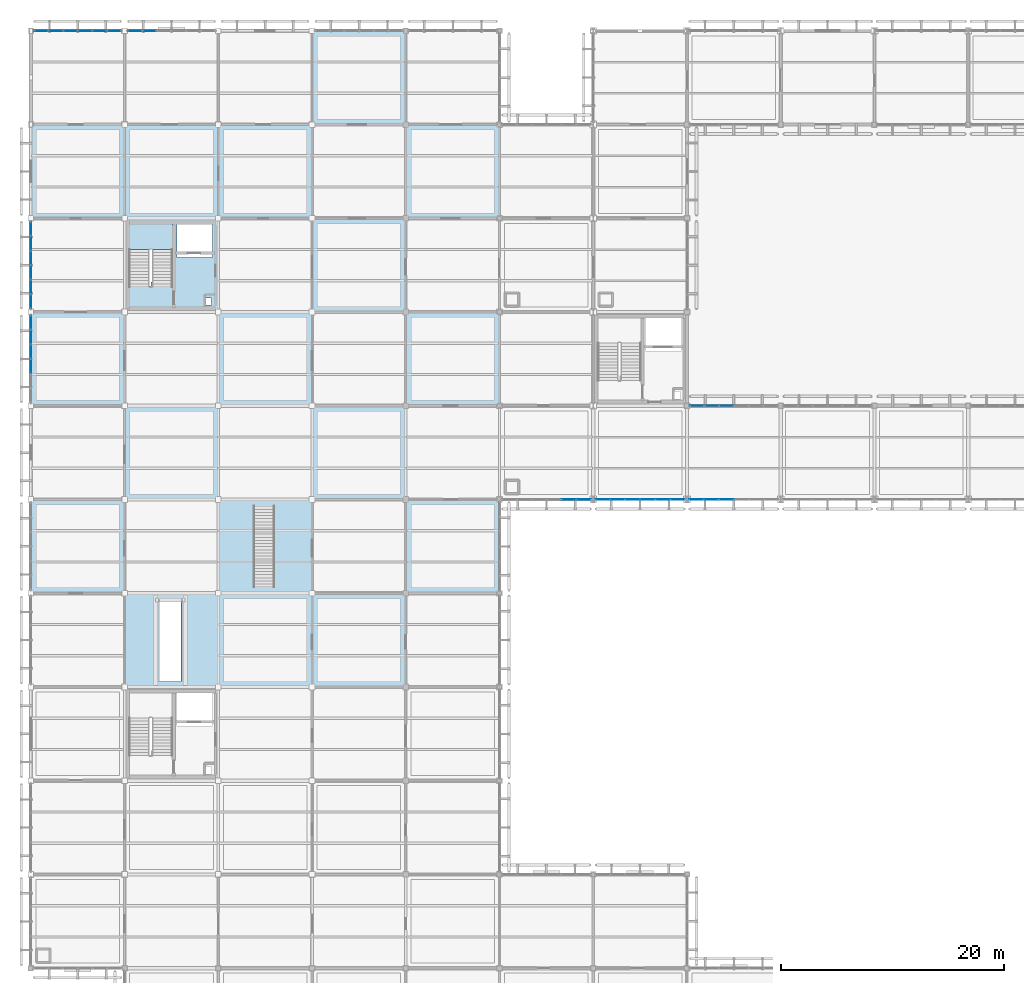
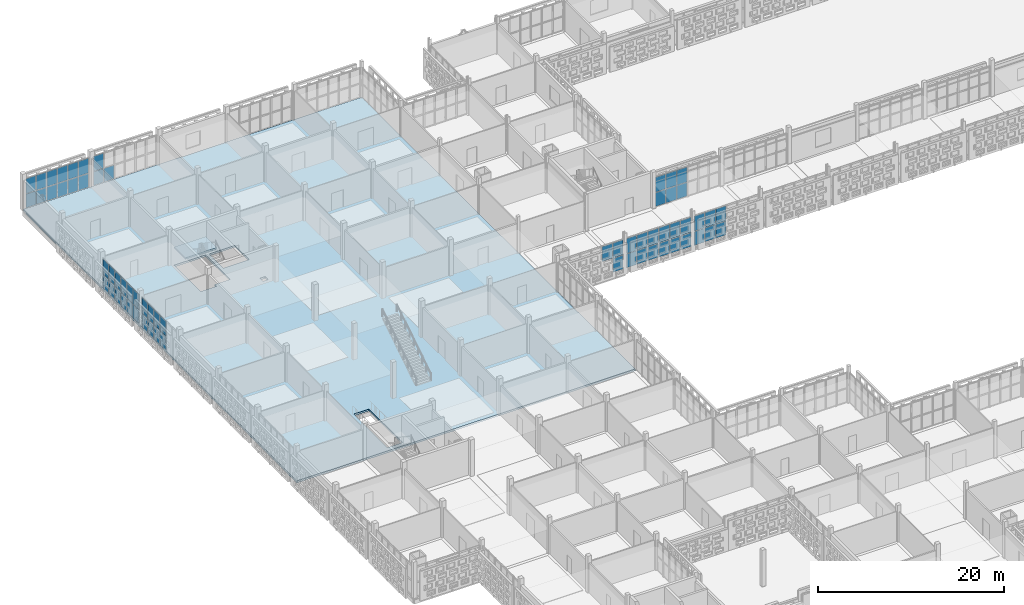
# One storey, part 95 of 203: 62 plates, 2 slabs, 9 elements without a shape of their own.
"""IFC4 building model written with IfcOpenShell, lengths in metres."""

from ifc_helpers import new_model, si_unit, direction, frame, origin, origin_2d, place, context, subcontext, project, spatial, polyline, rectangle, outline, extrude, material, layer, layer_set, type_object, element, aggregate, save


model = new_model("IFC4")

# Units and contexts
model_context = context("Model", 3, precision=1e-05, world=origin(), true_north=direction((0.0, 1.0)))
body_context = subcontext(model_context, "Body", "Model", "MODEL_VIEW")
ifc_project = project(units=[si_unit("LENGTHUNIT", "METRE"), si_unit("AREAUNIT", "SQUARE_METRE"), si_unit("VOLUMEUNIT", "CUBIC_METRE"), si_unit("PLANEANGLEUNIT", "RADIAN"), si_unit("MASSUNIT", "GRAM", prefix="KILO")], contexts=[model_context])

# Site, building, storey
site_placement = place(None, origin())
site = spatial("IfcSite", under=ifc_project, at=site_placement, CompositionType="ELEMENT")
building_placement = place(site_placement, origin())
building = spatial("IfcBuilding", under=site, at=building_placement, Name="Varnapada Polytechnic", CompositionType="ELEMENT")
storey_placement = place(building_placement, frame((0.0, 0.0, 4.800048828125)))
storey = spatial("IfcBuildingStorey", under=building, at=storey_placement, Name="L01", CompositionType="ELEMENT", Elevation=4.800048828125)

# Curtain wall, plates
ifc_material_1 = material(Name="Double low-E laminated glass", Category="glass")
ifc_layer_1 = layer(ifc_material_1, 0.159912109375)
ifc_layer_set_1 = layer_set([ifc_layer_1], Name="Double low-E laminated glass")
curtain_wall_type_1 = type_object("IfcCurtainWallType", Name="Curtain Wall CW-01", PredefinedType="NOTDEFINED", material=ifc_layer_set_1)
curtain_wall_1_placement = place(storey_placement, origin())
curtain_wall_1 = element("IfcCurtainWall", 1, at=curtain_wall_1_placement, inside=storey, type_object=curtain_wall_type_1, Name="L01 unitised curtain wall CW-01 (46)", PredefinedType="NOTDEFINED")
ifc_layer_2 = layer(ifc_material_1, 0.028076171875)
ifc_layer_set_2 = layer_set([ifc_layer_2], Name="Double low-E laminated glass")
plate_type_1 = type_object("IfcPlateType", Name="Curtain Panel PNL-01", PredefinedType="CURTAIN_PANEL", material=ifc_layer_set_2)
plate_1_placement = place(storey_placement, frame((49.5625, 84.0, 0.06005859375), z_axis=(0.0, 0.0, 1.0), x_axis=(-1.0, 0.0, 0.0)))
plate_1 = element("IfcPlate", 2, at=plate_1_placement, type_object=plate_type_1, Name="CW-01 panel 1.1", PredefinedType="CURTAIN_PANEL", context=body_context, shape_type="SweptSolid", body=[
    extrude(rectangle(XDim=1.2548828125, YDim=0.028076171875, at=origin_2d()), origin(), (0.0, 0.0, 1.0), 1.810791015625),
])
plate_2_placement = place(storey_placement, frame((49.5625, 84.0, 1.9306640625), z_axis=(0.0, 0.0, 1.0), x_axis=(-1.0, 0.0, 0.0)))
plate_2 = element("IfcPlate", 3, at=plate_2_placement, type_object=plate_type_1, Name="CW-01 panel 1.2", PredefinedType="CURTAIN_PANEL", context=body_context, shape_type="SweptSolid", body=[
    extrude(rectangle(XDim=1.2548828125, YDim=0.028076171875, at=origin_2d()), origin(), (0.0, 0.0, 1.0), 1.96923828125),
])
plate_3_placement = place(storey_placement, frame((48.232421875, 84.0, 1.9306640625), z_axis=(0.0, 0.0, 1.0), x_axis=(-1.0, 0.0, 0.0)))
plate_3 = element("IfcPlate", 4, at=plate_3_placement, type_object=plate_type_1, Name="CW-01 panel 2.2", PredefinedType="CURTAIN_PANEL", context=body_context, shape_type="SweptSolid", body=[
    extrude(rectangle(XDim=1.284912109375, YDim=0.028076171875, at=origin_2d()), origin(), (0.0, 0.0, 1.0), 1.96923828125),
])
aggregate(curtain_wall_1, [plate_1, plate_2, plate_3])

curtain_wall_2_placement = place(storey_placement, origin())
curtain_wall_2 = element("IfcCurtainWall", 5, at=curtain_wall_2_placement, inside=storey, type_object=curtain_wall_type_1, Name="L01 unitised curtain wall CW-01 (52)", PredefinedType="NOTDEFINED")
plate_4_placement = place(storey_placement, frame((57.9599609375, 84.0, 0.06005859375), z_axis=(0.0, 0.0, 1.0), x_axis=(-1.0, 0.0, 0.0)))
plate_4 = element("IfcPlate", 6, at=plate_4_placement, type_object=plate_type_1, Name="CW-01 panel 1.1", PredefinedType="CURTAIN_PANEL", context=body_context, shape_type="SweptSolid", body=[
    extrude(rectangle(XDim=1.260009765625, YDim=0.028076171875, at=origin_2d()), origin(), (0.0, 0.0, 1.0), 1.810791015625),
])
plate_5_placement = place(storey_placement, frame((57.9599609375, 84.0, 1.9306640625), z_axis=(0.0, 0.0, 1.0), x_axis=(-1.0, 0.0, 0.0)))
plate_5 = element("IfcPlate", 7, at=plate_5_placement, type_object=plate_type_1, Name="CW-01 panel 1.2", PredefinedType="CURTAIN_PANEL", context=body_context, shape_type="SweptSolid", body=[
    extrude(rectangle(XDim=1.260009765625, YDim=0.028076171875, at=origin_2d()), origin(), (0.0, 0.0, 1.0), 1.96923828125),
])
plate_6_placement = place(storey_placement, frame((56.625, 84.0, 0.06005859375), z_axis=(0.0, 0.0, 1.0), x_axis=(-1.0, 0.0, 0.0)))
plate_6 = element("IfcPlate", 8, at=plate_6_placement, type_object=plate_type_1, Name="CW-01 panel 2.1", PredefinedType="CURTAIN_PANEL", context=body_context, shape_type="SweptSolid", body=[
    extrude(rectangle(XDim=1.2900390625, YDim=0.028076171875, at=origin_2d()), origin(), (0.0, 0.0, 1.0), 1.810791015625),
])
plate_7_placement = place(storey_placement, frame((56.625, 84.0, 1.9306640625), z_axis=(0.0, 0.0, 1.0), x_axis=(-1.0, 0.0, 0.0)))
plate_7 = element("IfcPlate", 9, at=plate_7_placement, type_object=plate_type_1, Name="CW-01 panel 2.2", PredefinedType="CURTAIN_PANEL", context=body_context, shape_type="SweptSolid", body=[
    extrude(rectangle(XDim=1.2900390625, YDim=0.028076171875, at=origin_2d()), origin(), (0.0, 0.0, 1.0), 1.96923828125),
])
plate_8_placement = place(storey_placement, frame((55.27490234375, 84.0, 0.06005859375), z_axis=(0.0, 0.0, 1.0), x_axis=(-1.0, 0.0, 0.0)))
plate_8 = element("IfcPlate", 10, at=plate_8_placement, type_object=plate_type_1, Name="CW-01 panel 3.1", PredefinedType="CURTAIN_PANEL", context=body_context, shape_type="SweptSolid", body=[
    extrude(rectangle(XDim=1.2900390625, YDim=0.028076171875, at=origin_2d()), origin(), (0.0, 0.0, 1.0), 1.810791015625),
])
plate_9_placement = place(storey_placement, frame((55.27490234375, 84.0, 1.9306640625), z_axis=(0.0, 0.0, 1.0), x_axis=(-1.0, 0.0, 0.0)))
plate_9 = element("IfcPlate", 11, at=plate_9_placement, type_object=plate_type_1, Name="CW-01 panel 3.2", PredefinedType="CURTAIN_PANEL", context=body_context, shape_type="SweptSolid", body=[
    extrude(rectangle(XDim=1.2900390625, YDim=0.028076171875, at=origin_2d()), origin(), (0.0, 0.0, 1.0), 1.96923828125),
])
plate_10_placement = place(storey_placement, frame((53.925048828125, 84.0, 0.06005859375), z_axis=(0.0, 0.0, 1.0), x_axis=(-1.0, 0.0, 0.0)))
plate_10 = element("IfcPlate", 12, at=plate_10_placement, type_object=plate_type_1, Name="CW-01 panel 4.1", PredefinedType="CURTAIN_PANEL", context=body_context, shape_type="SweptSolid", body=[
    extrude(rectangle(XDim=1.2900390625, YDim=0.028076171875, at=origin_2d()), origin(), (0.0, 0.0, 1.0), 1.810791015625),
])
plate_11_placement = place(storey_placement, frame((53.925048828125, 84.0, 1.9306640625), z_axis=(0.0, 0.0, 1.0), x_axis=(-1.0, 0.0, 0.0)))
plate_11 = element("IfcPlate", 13, at=plate_11_placement, type_object=plate_type_1, Name="CW-01 panel 4.2", PredefinedType="CURTAIN_PANEL", context=body_context, shape_type="SweptSolid", body=[
    extrude(rectangle(XDim=1.2900390625, YDim=0.028076171875, at=origin_2d()), origin(), (0.0, 0.0, 1.0), 1.96923828125),
])
plate_12_placement = place(storey_placement, frame((52.574951171875, 84.0, 0.06005859375), z_axis=(0.0, 0.0, 1.0), x_axis=(-1.0, 0.0, 0.0)))
plate_12 = element("IfcPlate", 14, at=plate_12_placement, type_object=plate_type_1, Name="CW-01 panel 5.1", PredefinedType="CURTAIN_PANEL", context=body_context, shape_type="SweptSolid", body=[
    extrude(rectangle(XDim=1.2900390625, YDim=0.028076171875, at=origin_2d()), origin(), (0.0, 0.0, 1.0), 1.810791015625),
])
plate_13_placement = place(storey_placement, frame((52.574951171875, 84.0, 1.9306640625), z_axis=(0.0, 0.0, 1.0), x_axis=(-1.0, 0.0, 0.0)))
plate_13 = element("IfcPlate", 15, at=plate_13_placement, type_object=plate_type_1, Name="CW-01 panel 5.2", PredefinedType="CURTAIN_PANEL", context=body_context, shape_type="SweptSolid", body=[
    extrude(rectangle(XDim=1.2900390625, YDim=0.028076171875, at=origin_2d()), origin(), (0.0, 0.0, 1.0), 1.96923828125),
])
plate_14_placement = place(storey_placement, frame((51.239990234375, 84.0, 0.06005859375), z_axis=(0.0, 0.0, 1.0), x_axis=(-1.0, 0.0, 0.0)))
plate_14 = element("IfcPlate", 16, at=plate_14_placement, type_object=plate_type_1, Name="CW-01 panel 6.1", PredefinedType="CURTAIN_PANEL", context=body_context, shape_type="SweptSolid", body=[
    extrude(rectangle(XDim=1.260009765625, YDim=0.028076171875, at=origin_2d()), origin(), (0.0, 0.0, 1.0), 1.810791015625),
])
plate_15_placement = place(storey_placement, frame((51.239990234375, 84.0, 1.9306640625), z_axis=(0.0, 0.0, 1.0), x_axis=(-1.0, 0.0, 0.0)))
plate_15 = element("IfcPlate", 17, at=plate_15_placement, type_object=plate_type_1, Name="CW-01 panel 6.2", PredefinedType="CURTAIN_PANEL", context=body_context, shape_type="SweptSolid", body=[
    extrude(rectangle(XDim=1.260009765625, YDim=0.028076171875, at=origin_2d()), origin(), (0.0, 0.0, 1.0), 1.96923828125),
])
aggregate(curtain_wall_2, [plate_4, plate_5, plate_6, plate_7, plate_8, plate_9, plate_10, plate_11, plate_12, plate_13, plate_14, plate_15])

curtain_wall_3_placement = place(storey_placement, origin())
curtain_wall_3 = element("IfcCurtainWall", 18, at=curtain_wall_3_placement, inside=storey, type_object=curtain_wall_type_1, Name="L01 unitised curtain wall CW-01 (57)", PredefinedType="NOTDEFINED")
plate_16_placement = place(storey_placement, frame((62.324951171875, 84.0, 0.06005859375), z_axis=(0.0, 0.0, 1.0), x_axis=(-1.0, 0.0, 0.0)))
plate_16 = element("IfcPlate", 19, at=plate_16_placement, type_object=plate_type_1, Name="CW-01 panel 4.1", PredefinedType="CURTAIN_PANEL", context=body_context, shape_type="SweptSolid", body=[
    extrude(rectangle(XDim=1.2900390625, YDim=0.028076171875, at=origin_2d()), origin(), (0.0, 0.0, 1.0), 1.810791015625),
])
plate_17_placement = place(storey_placement, frame((62.324951171875, 84.0, 1.9306640625), z_axis=(0.0, 0.0, 1.0), x_axis=(-1.0, 0.0, 0.0)))
plate_17 = element("IfcPlate", 20, at=plate_17_placement, type_object=plate_type_1, Name="CW-01 panel 4.2", PredefinedType="CURTAIN_PANEL", context=body_context, shape_type="SweptSolid", body=[
    extrude(rectangle(XDim=1.2900390625, YDim=0.028076171875, at=origin_2d()), origin(), (0.0, 0.0, 1.0), 1.96923828125),
])
plate_18_placement = place(storey_placement, frame((60.97509765625, 84.0, 0.06005859375), z_axis=(0.0, 0.0, 1.0), x_axis=(-1.0, 0.0, 0.0)))
plate_18 = element("IfcPlate", 21, at=plate_18_placement, type_object=plate_type_1, Name="CW-01 panel 5.1", PredefinedType="CURTAIN_PANEL", context=body_context, shape_type="SweptSolid", body=[
    extrude(rectangle(XDim=1.2900390625, YDim=0.028076171875, at=origin_2d()), origin(), (0.0, 0.0, 1.0), 1.810791015625),
])
plate_19_placement = place(storey_placement, frame((60.97509765625, 84.0, 1.9306640625), z_axis=(0.0, 0.0, 1.0), x_axis=(-1.0, 0.0, 0.0)))
plate_19 = element("IfcPlate", 22, at=plate_19_placement, type_object=plate_type_1, Name="CW-01 panel 5.2", PredefinedType="CURTAIN_PANEL", context=body_context, shape_type="SweptSolid", body=[
    extrude(rectangle(XDim=1.2900390625, YDim=0.028076171875, at=origin_2d()), origin(), (0.0, 0.0, 1.0), 1.96923828125),
])
plate_20_placement = place(storey_placement, frame((59.639892578125, 84.0, 0.06005859375), z_axis=(0.0, 0.0, 1.0), x_axis=(-1.0, 0.0, 0.0)))
plate_20 = element("IfcPlate", 23, at=plate_20_placement, type_object=plate_type_1, Name="CW-01 panel 6.1", PredefinedType="CURTAIN_PANEL", context=body_context, shape_type="SweptSolid", body=[
    extrude(rectangle(XDim=1.260009765625, YDim=0.028076171875, at=origin_2d()), origin(), (0.0, 0.0, 1.0), 1.810791015625),
])
plate_21_placement = place(storey_placement, frame((59.639892578125, 84.0, 1.9306640625), z_axis=(0.0, 0.0, 1.0), x_axis=(-1.0, 0.0, 0.0)))
plate_21 = element("IfcPlate", 24, at=plate_21_placement, type_object=plate_type_1, Name="CW-01 panel 6.2", PredefinedType="CURTAIN_PANEL", context=body_context, shape_type="SweptSolid", body=[
    extrude(rectangle(XDim=1.260009765625, YDim=0.028076171875, at=origin_2d()), origin(), (0.0, 0.0, 1.0), 1.96923828125),
])
aggregate(curtain_wall_3, [plate_16, plate_17, plate_18, plate_19, plate_20, plate_21])

ifc_layer_3 = layer(ifc_material_1, 0.159912109375)
ifc_layer_set_3 = layer_set([ifc_layer_3], Name="Double low-E laminated glass")
curtain_wall_type_2 = type_object("IfcCurtainWallType", Name="Curtain Wall CW-02", PredefinedType="NOTDEFINED", material=ifc_layer_set_3)
curtain_wall_4_placement = place(storey_placement, origin())
curtain_wall_4 = element("IfcCurtainWall", 25, at=curtain_wall_4_placement, inside=storey, type_object=curtain_wall_type_2, Name="L01 unitised curtain wall CW-02 (58)", PredefinedType="NOTDEFINED")
plate_22_placement = place(storey_placement, frame((59.68994140625, 92.39990234375, 0.06005859375), z_axis=(0.0, 0.0, 1.0), x_axis=(1.0, 0.0, 0.0)))
plate_22 = element("IfcPlate", 26, at=plate_22_placement, type_object=plate_type_1, Name="CW-02 panel 1.1", PredefinedType="CURTAIN_PANEL", context=body_context, shape_type="SweptSolid", body=[
    extrude(rectangle(XDim=1.239990234375, YDim=0.028076171875, at=origin_2d()), origin(), (0.0, 0.0, 1.0), 1.810791015625),
])
plate_23_placement = place(storey_placement, frame((59.68994140625, 92.39990234375, 1.9306640625), z_axis=(0.0, 0.0, 1.0), x_axis=(1.0, 0.0, 0.0)))
plate_23 = element("IfcPlate", 27, at=plate_23_placement, type_object=plate_type_1, Name="CW-02 panel 1.2", PredefinedType="CURTAIN_PANEL", context=body_context, shape_type="SweptSolid", body=[
    extrude(rectangle(XDim=1.239990234375, YDim=0.028076171875, at=origin_2d()), origin(), (0.0, 0.0, 1.0), 1.96923828125),
])
plate_24_placement = place(storey_placement, frame((61.0048828125, 92.39990234375, 0.06005859375), z_axis=(0.0, 0.0, 1.0), x_axis=(1.0, 0.0, 0.0)))
plate_24 = element("IfcPlate", 28, at=plate_24_placement, type_object=plate_type_1, Name="CW-02 panel 2.1", PredefinedType="CURTAIN_PANEL", context=body_context, shape_type="SweptSolid", body=[
    extrude(rectangle(XDim=1.27001953125, YDim=0.028076171875, at=origin_2d()), origin(), (0.0, 0.0, 1.0), 1.810791015625),
])
plate_25_placement = place(storey_placement, frame((61.0048828125, 92.39990234375, 1.9306640625), z_axis=(0.0, 0.0, 1.0), x_axis=(1.0, 0.0, 0.0)))
plate_25 = element("IfcPlate", 29, at=plate_25_placement, type_object=plate_type_1, Name="CW-02 panel 2.2", PredefinedType="CURTAIN_PANEL", context=body_context, shape_type="SweptSolid", body=[
    extrude(rectangle(XDim=1.27001953125, YDim=0.028076171875, at=origin_2d()), origin(), (0.0, 0.0, 1.0), 1.96923828125),
])
plate_26_placement = place(storey_placement, frame((62.3349609375, 92.39990234375, 0.06005859375), z_axis=(0.0, 0.0, 1.0), x_axis=(1.0, 0.0, 0.0)))
plate_26 = element("IfcPlate", 30, at=plate_26_placement, type_object=plate_type_1, Name="CW-02 panel 3.1", PredefinedType="CURTAIN_PANEL", context=body_context, shape_type="SweptSolid", body=[
    extrude(rectangle(XDim=1.27001953125, YDim=0.028076171875, at=origin_2d()), origin(), (0.0, 0.0, 1.0), 1.810791015625),
])
plate_27_placement = place(storey_placement, frame((62.3349609375, 92.39990234375, 1.9306640625), z_axis=(0.0, 0.0, 1.0), x_axis=(1.0, 0.0, 0.0)))
plate_27 = element("IfcPlate", 31, at=plate_27_placement, type_object=plate_type_1, Name="CW-02 panel 3.2", PredefinedType="CURTAIN_PANEL", context=body_context, shape_type="SweptSolid", body=[
    extrude(rectangle(XDim=1.27001953125, YDim=0.028076171875, at=origin_2d()), origin(), (0.0, 0.0, 1.0), 1.96923828125),
])
aggregate(curtain_wall_4, [plate_22, plate_23, plate_24, plate_25, plate_26, plate_27])

ifc_layer_4 = layer(ifc_material_1, 0.179931640625)
ifc_layer_set_4 = layer_set([ifc_layer_4], Name="Double low-E laminated glass")
curtain_wall_type_3 = type_object("IfcCurtainWallType", Name="Curtain Wall CW-03", PredefinedType="NOTDEFINED", material=ifc_layer_set_4)
curtain_wall_5_placement = place(storey_placement, origin())
curtain_wall_5 = element("IfcCurtainWall", 32, at=curtain_wall_5_placement, inside=storey, type_object=curtain_wall_type_3, Name="L01 unitised curtain wall CW-03 (24)", PredefinedType="NOTDEFINED")
ifc_layer_5 = layer(ifc_material_1, 0.031982421875)
ifc_layer_set_5 = layer_set([ifc_layer_5], Name="Double low-E laminated glass")
plate_type_2 = type_object("IfcPlateType", Name="Curtain Panel PNL-02", PredefinedType="CURTAIN_PANEL", material=ifc_layer_set_5)
plate_28_placement = place(storey_placement, frame((0.0, 95.943359375, 0.06494140625), z_axis=(0.0, 0.0, 1.0), x_axis=(0.0, 1.0, 0.0)))
plate_28 = element("IfcPlate", 33, at=plate_28_placement, type_object=plate_type_2, Name="CW-03 panel 3.1", PredefinedType="CURTAIN_PANEL", context=body_context, shape_type="SweptSolid", body=[
    extrude(rectangle(XDim=1.248291015625, YDim=0.031982421875, at=origin_2d()), origin(), (0.0, 0.0, 1.0), 1.80322265625),
])
plate_29_placement = place(storey_placement, frame((0.0, 95.943359375, 1.93310546875), z_axis=(0.0, 0.0, 1.0), x_axis=(0.0, 1.0, 0.0)))
plate_29 = element("IfcPlate", 34, at=plate_29_placement, type_object=plate_type_2, Name="CW-03 panel 3.2", PredefinedType="CURTAIN_PANEL", context=body_context, shape_type="SweptSolid", body=[
    extrude(rectangle(XDim=1.248291015625, YDim=0.031982421875, at=origin_2d()), origin(), (0.0, 0.0, 1.0), 1.961669921875),
])
plate_30_placement = place(storey_placement, frame((0.0, 97.256591796875, 0.06494140625), z_axis=(0.0, 0.0, 1.0), x_axis=(0.0, 1.0, 0.0)))
plate_30 = element("IfcPlate", 35, at=plate_30_placement, type_object=plate_type_2, Name="CW-03 panel 4.1", PredefinedType="CURTAIN_PANEL", context=body_context, shape_type="SweptSolid", body=[
    extrude(rectangle(XDim=1.248291015625, YDim=0.031982421875, at=origin_2d()), origin(), (0.0, 0.0, 1.0), 1.80322265625),
])
plate_31_placement = place(storey_placement, frame((0.0, 97.256591796875, 1.93310546875), z_axis=(0.0, 0.0, 1.0), x_axis=(0.0, 1.0, 0.0)))
plate_31 = element("IfcPlate", 36, at=plate_31_placement, type_object=plate_type_2, Name="CW-03 panel 4.2", PredefinedType="CURTAIN_PANEL", context=body_context, shape_type="SweptSolid", body=[
    extrude(rectangle(XDim=1.248291015625, YDim=0.031982421875, at=origin_2d()), origin(), (0.0, 0.0, 1.0), 1.961669921875),
])
plate_32_placement = place(storey_placement, frame((0.0, 98.570068359375, 0.06494140625), z_axis=(0.0, 0.0, 1.0), x_axis=(0.0, 1.0, 0.0)))
plate_32 = element("IfcPlate", 37, at=plate_32_placement, type_object=plate_type_2, Name="CW-03 panel 5.1", PredefinedType="CURTAIN_PANEL", context=body_context, shape_type="SweptSolid", body=[
    extrude(rectangle(XDim=1.248291015625, YDim=0.031982421875, at=origin_2d()), origin(), (0.0, 0.0, 1.0), 1.80322265625),
])
plate_33_placement = place(storey_placement, frame((0.0, 98.570068359375, 1.93310546875), z_axis=(0.0, 0.0, 1.0), x_axis=(0.0, 1.0, 0.0)))
plate_33 = element("IfcPlate", 38, at=plate_33_placement, type_object=plate_type_2, Name="CW-03 panel 5.2", PredefinedType="CURTAIN_PANEL", context=body_context, shape_type="SweptSolid", body=[
    extrude(rectangle(XDim=1.248291015625, YDim=0.031982421875, at=origin_2d()), origin(), (0.0, 0.0, 1.0), 1.961669921875),
])
plate_34_placement = place(storey_placement, frame((0.0, 99.8671875, 0.06494140625), z_axis=(0.0, 0.0, 1.0), x_axis=(0.0, 1.0, 0.0)))
plate_34 = element("IfcPlate", 39, at=plate_34_placement, type_object=plate_type_2, Name="CW-03 panel 6.1", PredefinedType="CURTAIN_PANEL", context=body_context, shape_type="SweptSolid", body=[
    extrude(rectangle(XDim=1.2158203125, YDim=0.031982421875, at=origin_2d()), origin(), (0.0, 0.0, 1.0), 1.80322265625),
])
plate_35_placement = place(storey_placement, frame((0.0, 99.8671875, 1.93310546875), z_axis=(0.0, 0.0, 1.0), x_axis=(0.0, 1.0, 0.0)))
plate_35 = element("IfcPlate", 40, at=plate_35_placement, type_object=plate_type_2, Name="CW-03 panel 6.2", PredefinedType="CURTAIN_PANEL", context=body_context, shape_type="SweptSolid", body=[
    extrude(rectangle(XDim=1.2158203125, YDim=0.031982421875, at=origin_2d()), origin(), (0.0, 0.0, 1.0), 1.961669921875),
])
aggregate(curtain_wall_5, [plate_28, plate_29, plate_30, plate_31, plate_32, plate_33, plate_34, plate_35])

curtain_wall_6_placement = place(storey_placement, origin())
curtain_wall_6 = element("IfcCurtainWall", 41, at=curtain_wall_6_placement, inside=storey, type_object=curtain_wall_type_3, Name="L01 unitised curtain wall CW-03 (25)", PredefinedType="NOTDEFINED")
plate_36_placement = place(storey_placement, frame((0.0, 101.73291015625, 0.06494140625), z_axis=(0.0, 0.0, 1.0), x_axis=(0.0, 1.0, 0.0)))
plate_36 = element("IfcPlate", 42, at=plate_36_placement, type_object=plate_type_2, Name="CW-03 panel 1.1", PredefinedType="CURTAIN_PANEL", context=body_context, shape_type="SweptSolid", body=[
    extrude(rectangle(XDim=1.2158203125, YDim=0.031982421875, at=origin_2d()), origin(), (0.0, 0.0, 1.0), 1.80322265625),
])
plate_37_placement = place(storey_placement, frame((0.0, 101.73291015625, 1.93310546875), z_axis=(0.0, 0.0, 1.0), x_axis=(0.0, 1.0, 0.0)))
plate_37 = element("IfcPlate", 43, at=plate_37_placement, type_object=plate_type_2, Name="CW-03 panel 1.2", PredefinedType="CURTAIN_PANEL", context=body_context, shape_type="SweptSolid", body=[
    extrude(rectangle(XDim=1.2158203125, YDim=0.031982421875, at=origin_2d()), origin(), (0.0, 0.0, 1.0), 1.961669921875),
])
plate_38_placement = place(storey_placement, frame((0.0, 103.030029296875, 0.06494140625), z_axis=(0.0, 0.0, 1.0), x_axis=(0.0, 1.0, 0.0)))
plate_38 = element("IfcPlate", 44, at=plate_38_placement, type_object=plate_type_2, Name="CW-03 panel 2.1", PredefinedType="CURTAIN_PANEL", context=body_context, shape_type="SweptSolid", body=[
    extrude(rectangle(XDim=1.248291015625, YDim=0.031982421875, at=origin_2d()), origin(), (0.0, 0.0, 1.0), 1.80322265625),
])
plate_39_placement = place(storey_placement, frame((0.0, 103.030029296875, 1.93310546875), z_axis=(0.0, 0.0, 1.0), x_axis=(0.0, 1.0, 0.0)))
plate_39 = element("IfcPlate", 45, at=plate_39_placement, type_object=plate_type_2, Name="CW-03 panel 2.2", PredefinedType="CURTAIN_PANEL", context=body_context, shape_type="SweptSolid", body=[
    extrude(rectangle(XDim=1.248291015625, YDim=0.031982421875, at=origin_2d()), origin(), (0.0, 0.0, 1.0), 1.961669921875),
])
plate_40_placement = place(storey_placement, frame((0.0, 104.34326171875, 0.06494140625), z_axis=(0.0, 0.0, 1.0), x_axis=(0.0, 1.0, 0.0)))
plate_40 = element("IfcPlate", 46, at=plate_40_placement, type_object=plate_type_2, Name="CW-03 panel 3.1", PredefinedType="CURTAIN_PANEL", context=body_context, shape_type="SweptSolid", body=[
    extrude(rectangle(XDim=1.248291015625, YDim=0.031982421875, at=origin_2d()), origin(), (0.0, 0.0, 1.0), 1.80322265625),
])
plate_41_placement = place(storey_placement, frame((0.0, 104.34326171875, 1.93310546875), z_axis=(0.0, 0.0, 1.0), x_axis=(0.0, 1.0, 0.0)))
plate_41 = element("IfcPlate", 47, at=plate_41_placement, type_object=plate_type_2, Name="CW-03 panel 3.2", PredefinedType="CURTAIN_PANEL", context=body_context, shape_type="SweptSolid", body=[
    extrude(rectangle(XDim=1.248291015625, YDim=0.031982421875, at=origin_2d()), origin(), (0.0, 0.0, 1.0), 1.961669921875),
])
plate_42_placement = place(storey_placement, frame((0.0, 105.65673828125, 0.06494140625), z_axis=(0.0, 0.0, 1.0), x_axis=(0.0, 1.0, 0.0)))
plate_42 = element("IfcPlate", 48, at=plate_42_placement, type_object=plate_type_2, Name="CW-03 panel 4.1", PredefinedType="CURTAIN_PANEL", context=body_context, shape_type="SweptSolid", body=[
    extrude(rectangle(XDim=1.248291015625, YDim=0.031982421875, at=origin_2d()), origin(), (0.0, 0.0, 1.0), 1.80322265625),
])
plate_43_placement = place(storey_placement, frame((0.0, 105.65673828125, 1.93310546875), z_axis=(0.0, 0.0, 1.0), x_axis=(0.0, 1.0, 0.0)))
plate_43 = element("IfcPlate", 49, at=plate_43_placement, type_object=plate_type_2, Name="CW-03 panel 4.2", PredefinedType="CURTAIN_PANEL", context=body_context, shape_type="SweptSolid", body=[
    extrude(rectangle(XDim=1.248291015625, YDim=0.031982421875, at=origin_2d()), origin(), (0.0, 0.0, 1.0), 1.961669921875),
])
plate_44_placement = place(storey_placement, frame((0.0, 106.969970703125, 0.06494140625), z_axis=(0.0, 0.0, 1.0), x_axis=(0.0, 1.0, 0.0)))
plate_44 = element("IfcPlate", 50, at=plate_44_placement, type_object=plate_type_2, Name="CW-03 panel 5.1", PredefinedType="CURTAIN_PANEL", context=body_context, shape_type="SweptSolid", body=[
    extrude(rectangle(XDim=1.248291015625, YDim=0.031982421875, at=origin_2d()), origin(), (0.0, 0.0, 1.0), 1.80322265625),
])
plate_45_placement = place(storey_placement, frame((0.0, 106.969970703125, 1.93310546875), z_axis=(0.0, 0.0, 1.0), x_axis=(0.0, 1.0, 0.0)))
plate_45 = element("IfcPlate", 51, at=plate_45_placement, type_object=plate_type_2, Name="CW-03 panel 5.2", PredefinedType="CURTAIN_PANEL", context=body_context, shape_type="SweptSolid", body=[
    extrude(rectangle(XDim=1.248291015625, YDim=0.031982421875, at=origin_2d()), origin(), (0.0, 0.0, 1.0), 1.961669921875),
])
plate_46_placement = place(storey_placement, frame((0.0, 108.26708984375, 0.06494140625), z_axis=(0.0, 0.0, 1.0), x_axis=(0.0, 1.0, 0.0)))
plate_46 = element("IfcPlate", 52, at=plate_46_placement, type_object=plate_type_2, Name="CW-03 panel 6.1", PredefinedType="CURTAIN_PANEL", context=body_context, shape_type="SweptSolid", body=[
    extrude(rectangle(XDim=1.2158203125, YDim=0.031982421875, at=origin_2d()), origin(), (0.0, 0.0, 1.0), 1.80322265625),
])
plate_47_placement = place(storey_placement, frame((0.0, 108.26708984375, 1.93310546875), z_axis=(0.0, 0.0, 1.0), x_axis=(0.0, 1.0, 0.0)))
plate_47 = element("IfcPlate", 53, at=plate_47_placement, type_object=plate_type_2, Name="CW-03 panel 6.2", PredefinedType="CURTAIN_PANEL", context=body_context, shape_type="SweptSolid", body=[
    extrude(rectangle(XDim=1.2158203125, YDim=0.031982421875, at=origin_2d()), origin(), (0.0, 0.0, 1.0), 1.961669921875),
])
aggregate(curtain_wall_6, [plate_36, plate_37, plate_38, plate_39, plate_40, plate_41, plate_42, plate_43, plate_44, plate_45, plate_46, plate_47])

curtain_wall_7_placement = place(storey_placement, origin())
curtain_wall_7 = element("IfcCurtainWall", 54, at=curtain_wall_7_placement, inside=storey, type_object=curtain_wall_type_3, Name="L01 unitised curtain wall CW-03 (26)", PredefinedType="NOTDEFINED")
plate_48_placement = place(storey_placement, frame((0.932861328125, 126.0, 0.06494140625), z_axis=(0.0, 0.0, 1.0), x_axis=(1.0, 0.0, 0.0)))
plate_48 = element("IfcPlate", 55, at=plate_48_placement, type_object=plate_type_2, Name="CW-03 panel 1.1", PredefinedType="CURTAIN_PANEL", context=body_context, shape_type="SweptSolid", body=[
    extrude(rectangle(XDim=1.2158203125, YDim=0.031982421875, at=origin_2d()), origin(), (0.0, 0.0, 1.0), 1.80322265625),
])
plate_49_placement = place(storey_placement, frame((0.932861328125, 126.0, 1.93310546875), z_axis=(0.0, 0.0, 1.0), x_axis=(1.0, 0.0, 0.0)))
plate_49 = element("IfcPlate", 56, at=plate_49_placement, type_object=plate_type_2, Name="CW-03 panel 1.2", PredefinedType="CURTAIN_PANEL", context=body_context, shape_type="SweptSolid", body=[
    extrude(rectangle(XDim=1.2158203125, YDim=0.031982421875, at=origin_2d()), origin(), (0.0, 0.0, 1.0), 1.961669921875),
])
plate_50_placement = place(storey_placement, frame((2.22998046875, 126.0, 0.06494140625), z_axis=(0.0, 0.0, 1.0), x_axis=(1.0, 0.0, 0.0)))
plate_50 = element("IfcPlate", 57, at=plate_50_placement, type_object=plate_type_2, Name="CW-03 panel 2.1", PredefinedType="CURTAIN_PANEL", context=body_context, shape_type="SweptSolid", body=[
    extrude(rectangle(XDim=1.248291015625, YDim=0.031982421875, at=origin_2d()), origin(), (0.0, 0.0, 1.0), 1.80322265625),
])
plate_51_placement = place(storey_placement, frame((2.22998046875, 126.0, 1.93310546875), z_axis=(0.0, 0.0, 1.0), x_axis=(1.0, 0.0, 0.0)))
plate_51 = element("IfcPlate", 58, at=plate_51_placement, type_object=plate_type_2, Name="CW-03 panel 2.2", PredefinedType="CURTAIN_PANEL", context=body_context, shape_type="SweptSolid", body=[
    extrude(rectangle(XDim=1.248291015625, YDim=0.031982421875, at=origin_2d()), origin(), (0.0, 0.0, 1.0), 1.961669921875),
])
plate_52_placement = place(storey_placement, frame((3.543212890625, 126.0, 0.06494140625), z_axis=(0.0, 0.0, 1.0), x_axis=(1.0, 0.0, 0.0)))
plate_52 = element("IfcPlate", 59, at=plate_52_placement, type_object=plate_type_2, Name="CW-03 panel 3.1", PredefinedType="CURTAIN_PANEL", context=body_context, shape_type="SweptSolid", body=[
    extrude(rectangle(XDim=1.248291015625, YDim=0.031982421875, at=origin_2d()), origin(), (0.0, 0.0, 1.0), 1.80322265625),
])
plate_53_placement = place(storey_placement, frame((3.543212890625, 126.0, 1.93310546875), z_axis=(0.0, 0.0, 1.0), x_axis=(1.0, 0.0, 0.0)))
plate_53 = element("IfcPlate", 60, at=plate_53_placement, type_object=plate_type_2, Name="CW-03 panel 3.2", PredefinedType="CURTAIN_PANEL", context=body_context, shape_type="SweptSolid", body=[
    extrude(rectangle(XDim=1.248291015625, YDim=0.031982421875, at=origin_2d()), origin(), (0.0, 0.0, 1.0), 1.961669921875),
])
plate_54_placement = place(storey_placement, frame((4.856689453125, 126.0, 0.06494140625), z_axis=(0.0, 0.0, 1.0), x_axis=(1.0, 0.0, 0.0)))
plate_54 = element("IfcPlate", 61, at=plate_54_placement, type_object=plate_type_2, Name="CW-03 panel 4.1", PredefinedType="CURTAIN_PANEL", context=body_context, shape_type="SweptSolid", body=[
    extrude(rectangle(XDim=1.248291015625, YDim=0.031982421875, at=origin_2d()), origin(), (0.0, 0.0, 1.0), 1.80322265625),
])
plate_55_placement = place(storey_placement, frame((4.856689453125, 126.0, 1.93310546875), z_axis=(0.0, 0.0, 1.0), x_axis=(1.0, 0.0, 0.0)))
plate_55 = element("IfcPlate", 62, at=plate_55_placement, type_object=plate_type_2, Name="CW-03 panel 4.2", PredefinedType="CURTAIN_PANEL", context=body_context, shape_type="SweptSolid", body=[
    extrude(rectangle(XDim=1.248291015625, YDim=0.031982421875, at=origin_2d()), origin(), (0.0, 0.0, 1.0), 1.961669921875),
])
plate_56_placement = place(storey_placement, frame((6.169921875, 126.0, 0.06494140625), z_axis=(0.0, 0.0, 1.0), x_axis=(1.0, 0.0, 0.0)))
plate_56 = element("IfcPlate", 63, at=plate_56_placement, type_object=plate_type_2, Name="CW-03 panel 5.1", PredefinedType="CURTAIN_PANEL", context=body_context, shape_type="SweptSolid", body=[
    extrude(rectangle(XDim=1.248291015625, YDim=0.031982421875, at=origin_2d()), origin(), (0.0, 0.0, 1.0), 1.80322265625),
])
plate_57_placement = place(storey_placement, frame((6.169921875, 126.0, 1.93310546875), z_axis=(0.0, 0.0, 1.0), x_axis=(1.0, 0.0, 0.0)))
plate_57 = element("IfcPlate", 64, at=plate_57_placement, type_object=plate_type_2, Name="CW-03 panel 5.2", PredefinedType="CURTAIN_PANEL", context=body_context, shape_type="SweptSolid", body=[
    extrude(rectangle(XDim=1.248291015625, YDim=0.031982421875, at=origin_2d()), origin(), (0.0, 0.0, 1.0), 1.961669921875),
])
plate_58_placement = place(storey_placement, frame((7.467041015625, 126.0, 0.06494140625), z_axis=(0.0, 0.0, 1.0), x_axis=(1.0, 0.0, 0.0)))
plate_58 = element("IfcPlate", 65, at=plate_58_placement, type_object=plate_type_2, Name="CW-03 panel 6.1", PredefinedType="CURTAIN_PANEL", context=body_context, shape_type="SweptSolid", body=[
    extrude(rectangle(XDim=1.2158203125, YDim=0.031982421875, at=origin_2d()), origin(), (0.0, 0.0, 1.0), 1.80322265625),
])
plate_59_placement = place(storey_placement, frame((7.467041015625, 126.0, 1.93310546875), z_axis=(0.0, 0.0, 1.0), x_axis=(1.0, 0.0, 0.0)))
plate_59 = element("IfcPlate", 66, at=plate_59_placement, type_object=plate_type_2, Name="CW-03 panel 6.2", PredefinedType="CURTAIN_PANEL", context=body_context, shape_type="SweptSolid", body=[
    extrude(rectangle(XDim=1.2158203125, YDim=0.031982421875, at=origin_2d()), origin(), (0.0, 0.0, 1.0), 1.961669921875),
])
aggregate(curtain_wall_7, [plate_48, plate_49, plate_50, plate_51, plate_52, plate_53, plate_54, plate_55, plate_56, plate_57, plate_58, plate_59])

curtain_wall_8_placement = place(storey_placement, origin())
curtain_wall_8 = element("IfcCurtainWall", 67, at=curtain_wall_8_placement, inside=storey, type_object=curtain_wall_type_3, Name="L01 unitised curtain wall CW-03 (30)", PredefinedType="NOTDEFINED")
plate_60_placement = place(storey_placement, frame((9.3330078125, 126.0, 0.06494140625), z_axis=(0.0, 0.0, 1.0), x_axis=(1.0, 0.0, 0.0)))
plate_60 = element("IfcPlate", 68, at=plate_60_placement, type_object=plate_type_2, Name="CW-03 panel 1.1", PredefinedType="CURTAIN_PANEL", context=body_context, shape_type="SweptSolid", body=[
    extrude(rectangle(XDim=1.2158203125, YDim=0.031982421875, at=origin_2d()), origin(), (0.0, 0.0, 1.0), 1.80322265625),
])
plate_61_placement = place(storey_placement, frame((9.3330078125, 126.0, 1.93310546875), z_axis=(0.0, 0.0, 1.0), x_axis=(1.0, 0.0, 0.0)))
plate_61 = element("IfcPlate", 69, at=plate_61_placement, type_object=plate_type_2, Name="CW-03 panel 1.2", PredefinedType="CURTAIN_PANEL", context=body_context, shape_type="SweptSolid", body=[
    extrude(rectangle(XDim=1.2158203125, YDim=0.031982421875, at=origin_2d()), origin(), (0.0, 0.0, 1.0), 1.961669921875),
])
plate_62_placement = place(storey_placement, frame((10.6298828125, 126.0, 0.06494140625), z_axis=(0.0, 0.0, 1.0), x_axis=(1.0, 0.0, 0.0)))
plate_62 = element("IfcPlate", 70, at=plate_62_placement, type_object=plate_type_2, Name="CW-03 panel 2.1", PredefinedType="CURTAIN_PANEL", context=body_context, shape_type="SweptSolid", body=[
    extrude(rectangle(XDim=1.248291015625, YDim=0.031982421875, at=origin_2d()), origin(), (0.0, 0.0, 1.0), 1.80322265625),
])
aggregate(curtain_wall_8, [plate_60, plate_61, plate_62])

# Slab
ifc_material_2 = material(Name="Cross-laminated timber CLT C24", Category="wood")
ifc_layer_6 = layer(ifc_material_2, 0.25)
ifc_layer_set_6 = layer_set([ifc_layer_6], Name="Cross-laminated timber CLT C24")
slab_type_1 = type_object("IfcSlabType", Name="L01/L02 library & union CLT composite slab SL-05", PredefinedType="FLOOR", material=ifc_layer_set_6)
slab_1_placement = place(storey_placement, frame((0.0, 0.0, -0.25)))
element("IfcSlab", 71, at=slab_1_placement, inside=storey, type_object=slab_type_1, Name="L01 V4 slab 2.1", PredefinedType="FLOOR", context=body_context, shape_type="SweptSolid", body=[
    extrude(outline(polyline([(0.0, 100.800048828125), (0.0, 109.199951171875), (0.0, 117.60009765625), (0.0, 126.0), (8.39990234375, 126.0), (16.800048828125, 126.0), (25.199951171875, 126.0), (33.60009765625, 126.0), (42.0, 126.0), (42.0, 117.60009765625), (42.0, 109.199951171875), (42.0, 100.800048828125), (42.0, 92.39990234375), (42.0, 84.0), (42.0, 75.60009765625), (42.0, 67.199951171875), (33.60009765625, 67.199951171875), (25.199951171875, 67.199951171875), (16.800048828125, 67.199951171875), (8.39990234375, 67.199951171875), (0.0, 67.199951171875), (0.0, 75.60009765625), (0.0, 84.0), (0.0, 92.39990234375), (0.0, 100.800048828125)]), holes=[polyline([(8.800048828125, 103.110107421875), (10.75, 103.110107421875), (10.75, 103.510009765625), (12.699951171875, 103.510009765625), (12.699951171875, 108.800048828125), (8.800048828125, 108.800048828125), (8.800048828125, 103.110107421875)]), polyline([(11.550048828125, 67.75), (13.449951171875, 67.75), (13.449951171875, 75.0), (11.550048828125, 75.0), (11.550048828125, 67.75)]), polyline([(13.10009765625, 105.699951171875), (16.300048828125, 105.699951171875), (16.300048828125, 108.75), (13.10009765625, 108.75), (13.10009765625, 105.699951171875)]), polyline([(15.550048828125, 101.419921875), (16.199951171875, 101.419921875), (16.199951171875, 102.070068359375), (15.550048828125, 102.070068359375), (15.550048828125, 101.419921875)])]), origin(), (0.0, 0.0, 1.0), 0.25),
])

# Stair, slab
ifc_material_3 = material(Name="Concrete C40/50", Category="concrete")
stair_type = type_object("IfcStairType", Name="Core Exit Stair ST-A", PredefinedType="HALF_TURN_STAIR", material=ifc_material_3)
stair_placement = place(storey_placement, origin())
stair = element("IfcStair", 72, at=stair_placement, inside=storey, type_object=stair_type, Name="L01 Core C1 Exit Stair", PredefinedType="HALF_TURN_STAIR")
ifc_layer_7 = layer(ifc_material_3, 0.199951171875)
ifc_layer_set_7 = layer_set([ifc_layer_7], Name="Concrete C40/50")
slab_type_2 = type_object("IfcSlabType", Name="Stair Half Landing SLD-01", PredefinedType="LANDING", material=ifc_layer_set_7)
slab_2_placement = place(storey_placement, frame((0.0, 0.0, 2.199951171875)))
slab_2 = element("IfcSlab", 73, at=slab_2_placement, type_object=slab_type_2, Name="ST-1 landing 1", PredefinedType="LANDING", context=body_context, shape_type="SweptSolid", body=[
    extrude(outline(polyline([(12.699951171875, 106.409912109375), (12.699951171875, 108.800048828125), (8.800048828125, 108.800048828125), (8.800048828125, 106.409912109375), (12.699951171875, 106.409912109375)])), origin(), (0.0, 0.0, 1.0), 0.199951171875),
])
aggregate(stair, [slab_2])

save(model, "model.ifc")
